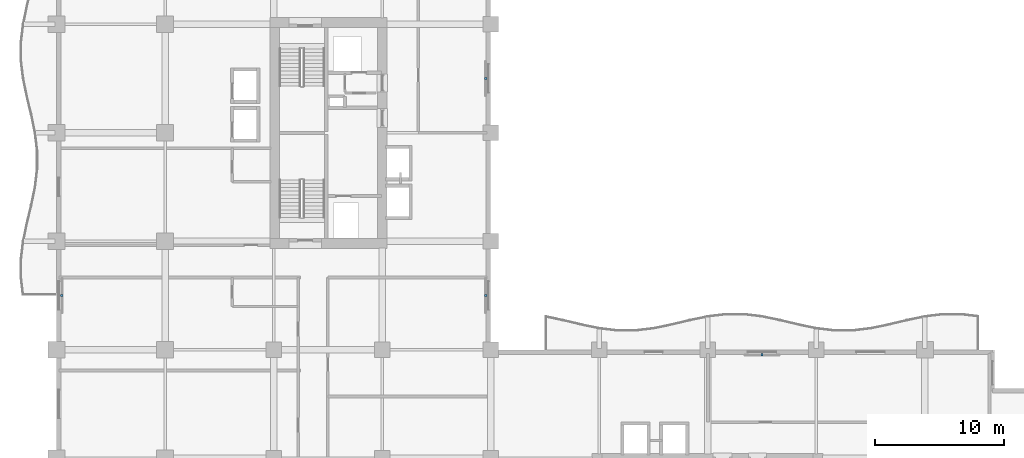
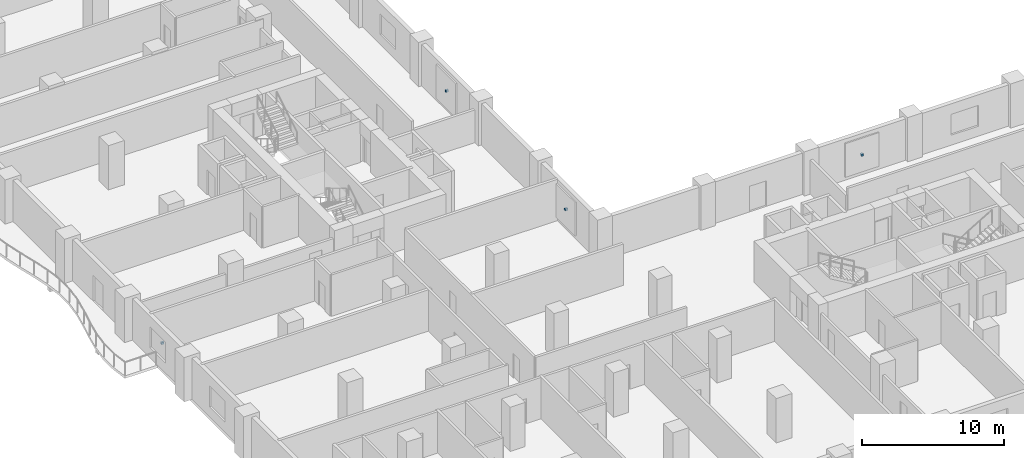
# One storey, part 13 of 18: 4 discrete accessories.
"""IFC4 building model written with IfcOpenShell, lengths in metres."""

from ifc_helpers import new_model, si_unit, direction, frame, origin, origin_2d, place, context, subcontext, project, spatial, rectangle, extrude, material, type_object, element, save


model = new_model("IFC4")

# Units and contexts
model_context = context("Model", 3, precision=1e-05, world=origin(), true_north=direction((0.0, 1.0)))
body_context = subcontext(model_context, "Body", "Model", "MODEL_VIEW")
ifc_project = project(units=[si_unit("LENGTHUNIT", "METRE"), si_unit("AREAUNIT", "SQUARE_METRE"), si_unit("VOLUMEUNIT", "CUBIC_METRE"), si_unit("PLANEANGLEUNIT", "RADIAN"), si_unit("MASSUNIT", "GRAM", prefix="KILO")], contexts=[model_context])

# Site, building, storey
site_placement = place(None, origin())
site = spatial("IfcSite", under=ifc_project, at=site_placement, CompositionType="ELEMENT")
building_placement = place(site_placement, origin())
building = spatial("IfcBuilding", under=site, at=building_placement, Name="Koriwani Terraces Tower", CompositionType="ELEMENT")
storey_placement = place(building_placement, frame((0.0, 0.0, 107.60009765625)))
storey = spatial("IfcBuildingStorey", under=building, at=storey_placement, Name="L25", CompositionType="ELEMENT", Elevation=107.60009765625)

# Discrete accessories
ifc_material = material(Name="Steel ASTM A572 Grade 50", Category="steel")
discrete_accessory_type = type_object("IfcDiscreteAccessoryType", Name="BAGUETTE_STANDOFF_BRACKET", PredefinedType="BRACKET", material=ifc_material)
for number, where, z_axis, x_axis, name in (
    (1, (0.389892578125, 37.800048828125, 1.68505859375), (0.0, 0.0, 1.0), (0.0, 1.0, 0.0), "L25 Terracotta Baguette Bracket (W-12)"),
    (2, (33.2099609375, 37.800048828125, 1.68505859375), (0.0, 0.0, 1.0), (0.0, -1.0, 0.0), "L25 Terracotta Baguette Bracket (NW_IN-2)"),
    (3, (33.2099609375, 54.60009765625, 1.68505859375), (0.0, 0.0, 1.0), (0.0, -1.0, 0.0), "L25 Terracotta Baguette Bracket (NW_IN-8)"),
    (4, (54.60009765625, 33.2099609375, 1.68505859375), (0.0, 0.0, 1.0), (1.0, 0.0, 0.0), "L25 Terracotta Baguette Bracket (NE-8)"),
):
    element("IfcDiscreteAccessory", number, at=place(storey_placement, frame(where, z_axis=z_axis, x_axis=x_axis)), inside=storey, type_object=discrete_accessory_type, Name=name, PredefinedType="BRACKET", context=body_context, shape_type="SweptSolid", body=[
        extrude(rectangle(XDim=0.159912109375, YDim=0.199951171875, at=origin_2d()), origin(), (0.0, 0.0, 1.0), 0.179931640625),
    ])

save(model, "model.ifc")
